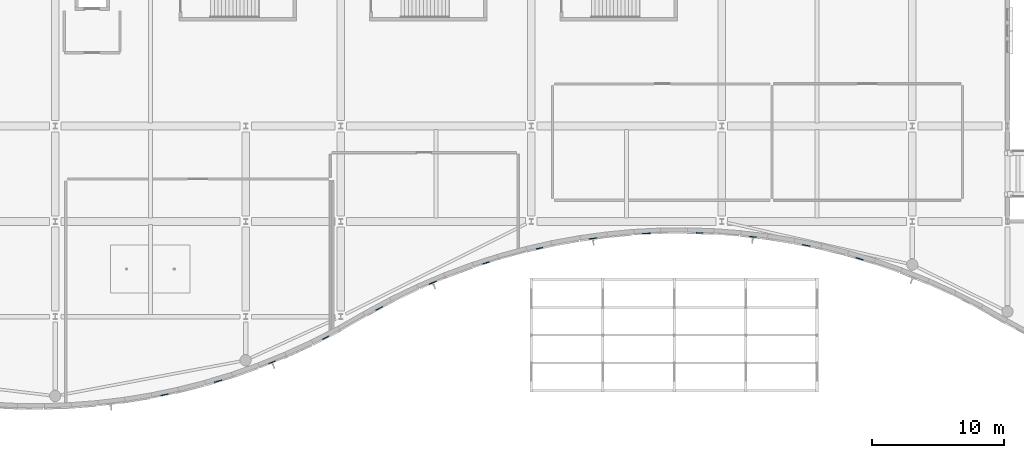
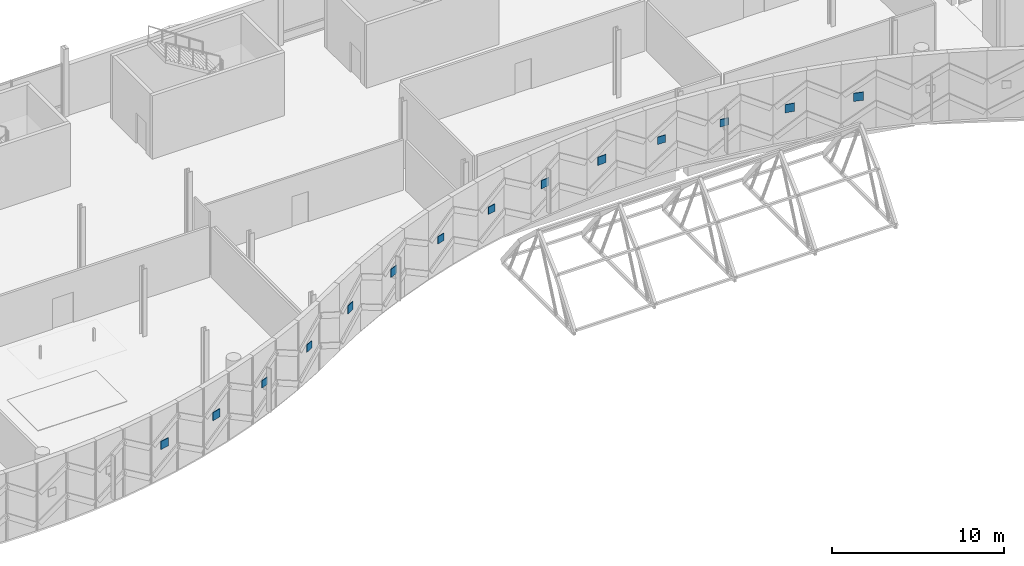
# One storey, part 138 of 220: 14 plates.
"""IFC4 building model written with IfcOpenShell, lengths in metres."""

from ifc_helpers import new_model, si_unit, direction, frame, origin, origin_2d, place, context, subcontext, project, spatial, rectangle, extrude, material, layer, layer_set, type_object, element, save


model = new_model("IFC4")

# Units and contexts
model_context = context("Model", 3, precision=1e-05, world=origin(), true_north=direction((0.0, 1.0)))
body_context = subcontext(model_context, "Body", "Model", "MODEL_VIEW")
ifc_project = project(units=[si_unit("LENGTHUNIT", "METRE"), si_unit("AREAUNIT", "SQUARE_METRE"), si_unit("VOLUMEUNIT", "CUBIC_METRE"), si_unit("PLANEANGLEUNIT", "RADIAN"), si_unit("MASSUNIT", "GRAM", prefix="KILO")], contexts=[model_context])

# Site, building, storey
site_placement = place(None, origin())
site = spatial("IfcSite", under=ifc_project, at=site_placement, CompositionType="ELEMENT")
building_placement = place(site_placement, origin())
building = spatial("IfcBuilding", under=site, at=building_placement, Name="Cendralis Lancet Convention Centre", CompositionType="ELEMENT")
storey_placement = place(building_placement, frame((0.0, 0.0, 5.39990234375)))
storey = spatial("IfcBuildingStorey", under=building, at=storey_placement, Name="L01", CompositionType="ELEMENT", Elevation=5.39990234375)

# Plates
ifc_material_1 = material(Name="Warm buff sandstone chevron cassette", Category="masonry")
ifc_layer_1 = layer(ifc_material_1, 0.044921875, Name="Warm buff sandstone chevron cassette")
ifc_layer_set_1 = layer_set([ifc_layer_1], Name="Warm buff sandstone chevron cassette")
plate_type_1 = type_object("IfcPlateType", Name="ARC-PL-CHV1", PredefinedType="SHEET", material=ifc_layer_set_1)
for number, where, z_axis, x_axis, name in (
    (1, (65.857666015625, 1.285400390625, 2.090087890625), (0.0, 0.0, 1.0), (0.979084550851, 0.203453784151, 0.0), "Chevron Keystone Cassette CHV-S1 #0049"),
    (2, (82.109375, 7.822265625, 2.090087890625), (0.0, 0.0, 1.0), (0.880179301323, 0.474641335667, 0.0), "Chevron Keystone Cassette CHV-S1 #0061"),
    (3, (98.248779296875, 13.102783203125, 2.090087890625), (0.0, 0.0, 1.0), (0.990576513035, 0.136960475405, 0.0), "Chevron Keystone Cassette CHV-S1 #0073"),
    (4, (114.388427734375, 12.582275390625, 2.090087890625), (0.0, 0.0, 1.0), (0.97963837175, -0.200770168587, 0.0), "Chevron Keystone Cassette CHV-S1 #0085"),
):
    element("IfcPlate", number, at=place(storey_placement, frame(where, z_axis=z_axis, x_axis=x_axis)), inside=storey, type_object=plate_type_1, Name=name, PredefinedType="SHEET", context=body_context, shape_type="SweptSolid", body=[
        extrude(rectangle(XDim=0.580078125, YDim=0.044921875, at=origin_2d()), origin(), (0.0, 0.0, 1.0), 0.580078125),
    ])
ifc_material_2 = material(Name="Dark Andean slate chevron cassette", Category="masonry")
ifc_layer_2 = layer(ifc_material_2, 0.048095703125, Name="Dark Andean slate chevron cassette")
ifc_layer_set_2 = layer_set([ifc_layer_2], Name="Dark Andean slate chevron cassette")
plate_type_2 = type_object("IfcPlateType", Name="ARC-PL-CHV2", PredefinedType="SHEET", material=ifc_layer_set_2)
for number, where, z_axis, x_axis, name in (
    (5, (69.923828125, 2.318359375, 2.090087890625), (0.0, 0.0, 1.0), (0.957631699488, 0.287995708538, 0.0), "Chevron Keystone Cassette CHV-D1 #0052"),
    (6, (86.144775390625, 9.76171875, 2.090087890625), (0.0, 0.0, 1.0), (0.920756984653, 0.390136610961, 0.0), "Chevron Keystone Cassette CHV-D1 #0064"),
    (7, (102.2841796875, 13.48779296875, 2.090087890625), (0.0, 0.0, 1.0), (0.998606603824, 0.052771685582, 0.0), "Chevron Keystone Cassette CHV-D1 #0076"),
    (8, (118.423095703125, 11.5712890625, 2.090087890625), (0.0, 0.0, 1.0), (0.958447138302, -0.285270193117, 0.0), "Chevron Keystone Cassette CHV-D1 #0088"),
):
    element("IfcPlate", number, at=place(storey_placement, frame(where, z_axis=z_axis, x_axis=x_axis)), inside=storey, type_object=plate_type_2, Name=name, PredefinedType="SHEET", context=body_context, shape_type="SweptSolid", body=[
        extrude(rectangle(XDim=0.580078125, YDim=0.048095703125, at=origin_2d()), origin(), (0.0, 0.0, 1.0), 0.580078125),
    ])
ifc_layer_3 = layer(ifc_material_1, 0.044921875, Name="Warm buff sandstone chevron cassette")
ifc_layer_set_3 = layer_set([ifc_layer_3], Name="Warm buff sandstone chevron cassette")
plate_type_3 = type_object("IfcPlateType", Name="ARC-PL-CHV3", PredefinedType="SHEET", material=ifc_layer_set_3)
for number, where, z_axis, x_axis, name in (
    (9, (73.989990234375, 3.742919921875, 2.1201171875), (0.0, 0.0, 1.0), (0.928063926041, 0.372420930105, 0.0), "Chevron Keystone Cassette CHV-S2 #0055"),
    (10, (90.17919921875, 11.262451171875, 2.1201171875), (0.0, 0.0, 1.0), (0.952011943986, 0.306060873861, 0.0), "Chevron Keystone Cassette CHV-S2 #0067"),
    (11, (106.318603515625, 13.530029296875, 2.1201171875), (0.0, 0.0, 1.0), (0.999501062931, -0.031585205403, 0.0), "Chevron Keystone Cassette CHV-S2 #0079"),
):
    element("IfcPlate", number, at=place(storey_placement, frame(where, z_axis=z_axis, x_axis=x_axis)), inside=storey, type_object=plate_type_3, Name=name, PredefinedType="SHEET", context=body_context, shape_type="SweptSolid", body=[
        extrude(rectangle(XDim=0.52001953125, YDim=0.044921875, at=origin_2d()), origin(), (0.0, 0.0, 1.0), 0.52001953125),
    ])
ifc_layer_4 = layer(ifc_material_2, 0.048095703125, Name="Dark Andean slate chevron cassette")
ifc_layer_set_4 = layer_set([ifc_layer_4], Name="Dark Andean slate chevron cassette")
plate_type_4 = type_object("IfcPlateType", Name="ARC-PL-CHV4", PredefinedType="SHEET", material=ifc_layer_set_4)
for number, where, z_axis, x_axis, name in (
    (12, (78.055908203125, 5.599365234375, 2.1201171875), (0.0, 0.0, 1.0), (0.889543984432, 0.456849537333, 0.0), "Chevron Keystone Cassette CHV-D2 #0058"),
    (13, (94.21435546875, 12.3671875, 2.1201171875), (0.0, 0.0, 1.0), (0.975261365164, 0.221054901821, 0.0), "Chevron Keystone Cassette CHV-D2 #0070"),
    (14, (110.353515625, 13.230712890625, 2.1201171875), (0.0, 0.0, 1.0), (0.99322754702, -0.116185368447, 0.0), "Chevron Keystone Cassette CHV-D2 #0082"),
):
    element("IfcPlate", number, at=place(storey_placement, frame(where, z_axis=z_axis, x_axis=x_axis)), inside=storey, type_object=plate_type_4, Name=name, PredefinedType="SHEET", context=body_context, shape_type="SweptSolid", body=[
        extrude(rectangle(XDim=0.52001953125, YDim=0.048095703125, at=origin_2d()), origin(), (0.0, 0.0, 1.0), 0.52001953125),
    ])

save(model, "model.ifc")
